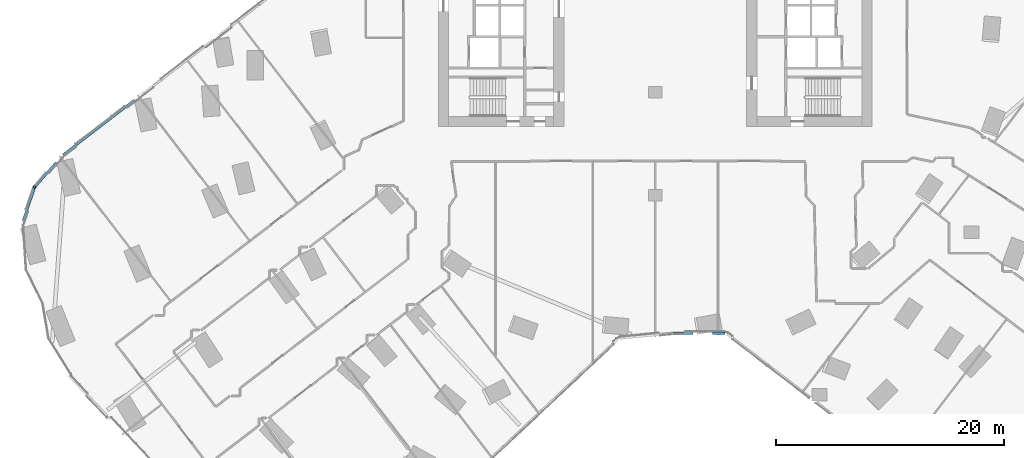
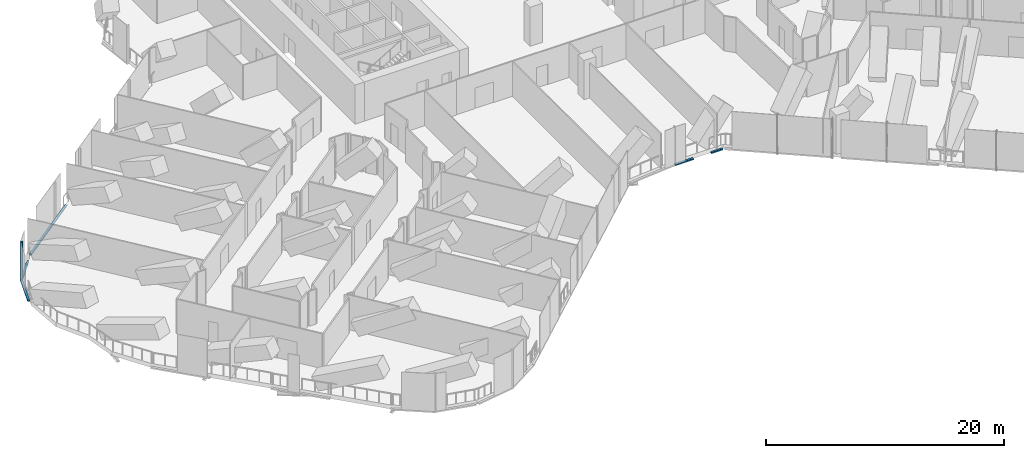
# One storey, part 5 of 32: 6 members, 4 elements without a shape of their own.
"""IFC4 building model written with IfcOpenShell, lengths in metres."""

from ifc_helpers import new_model, si_unit, direction, frame, origin, origin_2d, place, context, subcontext, project, spatial, rectangle, extrude, material, material_profile, profile_set, type_object, element, aggregate, save


model = new_model("IFC4")

# Units and contexts
model_context = context("Model", 3, precision=1e-05, world=origin(), true_north=direction((0.0, 1.0)))
body_context = subcontext(model_context, "Body", "Model", "MODEL_VIEW")
ifc_project = project(units=[si_unit("LENGTHUNIT", "METRE"), si_unit("AREAUNIT", "SQUARE_METRE"), si_unit("VOLUMEUNIT", "CUBIC_METRE"), si_unit("PLANEANGLEUNIT", "RADIAN"), si_unit("MASSUNIT", "GRAM", prefix="KILO")], contexts=[model_context])

# Site, building, storey
site_placement = place(None, origin())
site = spatial("IfcSite", under=ifc_project, at=site_placement, CompositionType="ELEMENT")
building_placement = place(site_placement, origin())
building = spatial("IfcBuilding", under=site, at=building_placement, Name="Orlundy Tower", CompositionType="ELEMENT")
storey_placement = place(building_placement, frame((0.0, 0.0, 33.300048828125)))
storey = spatial("IfcBuildingStorey", under=building, at=storey_placement, Name="L06", CompositionType="ELEMENT", Elevation=33.300048828125)

# Curtain wall, member
ifc_material_1 = material(Name="Aluminium bronze anodised", Category="aluminium")
curtain_wall_type = type_object("IfcCurtainWallType", Name="CW5 wall", PredefinedType="NOTDEFINED", material=ifc_material_1)
curtain_wall_1_placement = place(storey_placement, origin())
curtain_wall_1 = element("IfcCurtainWall", 1, at=curtain_wall_1_placement, inside=storey, type_object=curtain_wall_type, Name="CW5 run 041", PredefinedType="NOTDEFINED")
ifc_material_2 = material(Name="Aluminium bronze anodised", Category="aluminium")
ifc_material_profile_1 = material_profile(ifc_material_2, rectangle(XDim=0.199951171875, YDim=0.199951171875, at=origin_2d()), Name="CW5 corner post 200x200")
ifc_profile_set_1 = profile_set([ifc_material_profile_1], Name="Aluminium bronze anodised")
member_type_1 = type_object("IfcMemberType", Name="CW5 corner post 200x200", PredefinedType="MULLION", material=ifc_profile_set_1)
member_1_placement = place(storey_placement, frame((-54.375244140625, -17.30712890625, -0.420166015625), z_axis=(0.0, 0.0, 1.0), x_axis=(-0.751857647447, 0.65932547196, 0.0)))
member_1 = element("IfcMember", 2, at=member_1_placement, type_object=member_type_1, Name="CW5 mullion 69", PredefinedType="MULLION", context=body_context, shape_type="SweptSolid", body=[
    extrude(rectangle(XDim=0.199951171875, YDim=0.199951171875, at=origin_2d()), origin(), (0.0, 0.0, 1.0), 4.0),
])

# Curtain wall, members
curtain_wall_2_placement = place(storey_placement, origin())
curtain_wall_2 = element("IfcCurtainWall", 3, at=curtain_wall_2_placement, inside=storey, type_object=curtain_wall_type, Name="CW5 run 028", PredefinedType="NOTDEFINED")
ifc_material_3 = material(Name="Aluminium bronze anodised", Category="aluminium")
ifc_material_profile_2 = material_profile(ifc_material_3, rectangle(XDim=0.199951171875, YDim=0.139892578125, at=origin_2d()), Name="CW5 transom 200x140")
ifc_profile_set_2 = profile_set([ifc_material_profile_2], Name="Aluminium bronze anodised")
member_type_2 = type_object("IfcMemberType", Name="CW5 transom 200x140", PredefinedType="USERDEFINED", material=ifc_profile_set_2)
member_2_placement = place(storey_placement, frame((6.109130859375, -30.10009765625, -0.35009765625), z_axis=(-1.0, 0.0, 0.0), x_axis=(0.0, -1.0, 0.0)))
member_2 = element("IfcMember", 4, at=member_2_placement, type_object=member_type_2, Name="CW5 transom", ObjectType="TRANSOM", PredefinedType="USERDEFINED", context=body_context, shape_type="SweptSolid", body=[
    extrude(rectangle(XDim=0.199951171875, YDim=0.139892578125, at=origin_2d()), origin(), (0.0, 0.0, 1.0), 1.095458984375),
])
member_3_placement = place(storey_placement, frame((3.297607421875, -30.10009765625, -0.35009765625), z_axis=(-1.0, 0.0, 0.0), x_axis=(0.0, -1.0, 0.0)))
member_3 = element("IfcMember", 5, at=member_3_placement, type_object=member_type_2, Name="CW5 transom", ObjectType="TRANSOM", PredefinedType="USERDEFINED", context=body_context, shape_type="SweptSolid", body=[
    extrude(rectangle(XDim=0.199951171875, YDim=0.139892578125, at=origin_2d()), origin(), (0.0, 0.0, 1.0), 1.78173828125),
])
aggregate(curtain_wall_2, [member_2, member_3])

# Curtain wall, member
curtain_wall_3_placement = place(storey_placement, origin())
curtain_wall_3 = element("IfcCurtainWall", 6, at=curtain_wall_3_placement, inside=storey, type_object=curtain_wall_type, Name="CW5 run 040", PredefinedType="NOTDEFINED")
member_4_placement = place(storey_placement, frame((-55.37255859375, -20.24609375, -0.35009765625), z_axis=(0.321284598233, 0.946982685659, 0.0), x_axis=(-0.946982685659, 0.321284598233, 0.0)))
member_4 = element("IfcMember", 7, at=member_4_placement, type_object=member_type_2, Name="CW5 transom", ObjectType="TRANSOM", PredefinedType="USERDEFINED", context=body_context, shape_type="SweptSolid", body=[
    extrude(rectangle(XDim=0.199951171875, YDim=0.139892578125, at=origin_2d()), origin(), (0.0, 0.0, 1.0), 2.995361328125),
])
aggregate(curtain_wall_3, [member_4])

# Member
member_5_placement = place(storey_placement, frame((-54.309326171875, -17.23193359375, -0.35009765625), z_axis=(0.659304688779, 0.751875872305, 0.0), x_axis=(-0.751875872305, 0.659304688779, 0.0)))
member_5 = element("IfcMember", 8, at=member_5_placement, type_object=member_type_2, Name="CW5 transom", ObjectType="TRANSOM", PredefinedType="USERDEFINED", context=body_context, shape_type="SweptSolid", body=[
    extrude(rectangle(XDim=0.199951171875, YDim=0.139892578125, at=origin_2d()), origin(), (0.0, 0.0, 1.0), 2.763916015625),
])

aggregate(curtain_wall_1, [member_1, member_5])

# Curtain wall, member
curtain_wall_4_placement = place(storey_placement, origin())
curtain_wall_4 = element("IfcCurtainWall", 9, at=curtain_wall_4_placement, inside=storey, type_object=curtain_wall_type, Name="CW5 run 042", PredefinedType="NOTDEFINED")
member_6_placement = place(storey_placement, frame((-51.891845703125, -14.482421875, -0.35009765625), z_axis=(0.793348993805, 0.608767093418, 0.0), x_axis=(-0.608767093418, 0.793348993805, 0.0)))
member_6 = element("IfcMember", 10, at=member_6_placement, type_object=member_type_2, Name="CW5 transom", ObjectType="TRANSOM", PredefinedType="USERDEFINED", context=body_context, shape_type="SweptSolid", body=[
    extrude(rectangle(XDim=0.199951171875, YDim=0.139892578125, at=origin_2d()), origin(), (0.0, 0.0, 1.0), 7.88037109375),
])
aggregate(curtain_wall_4, [member_6])

save(model, "model.ifc")
